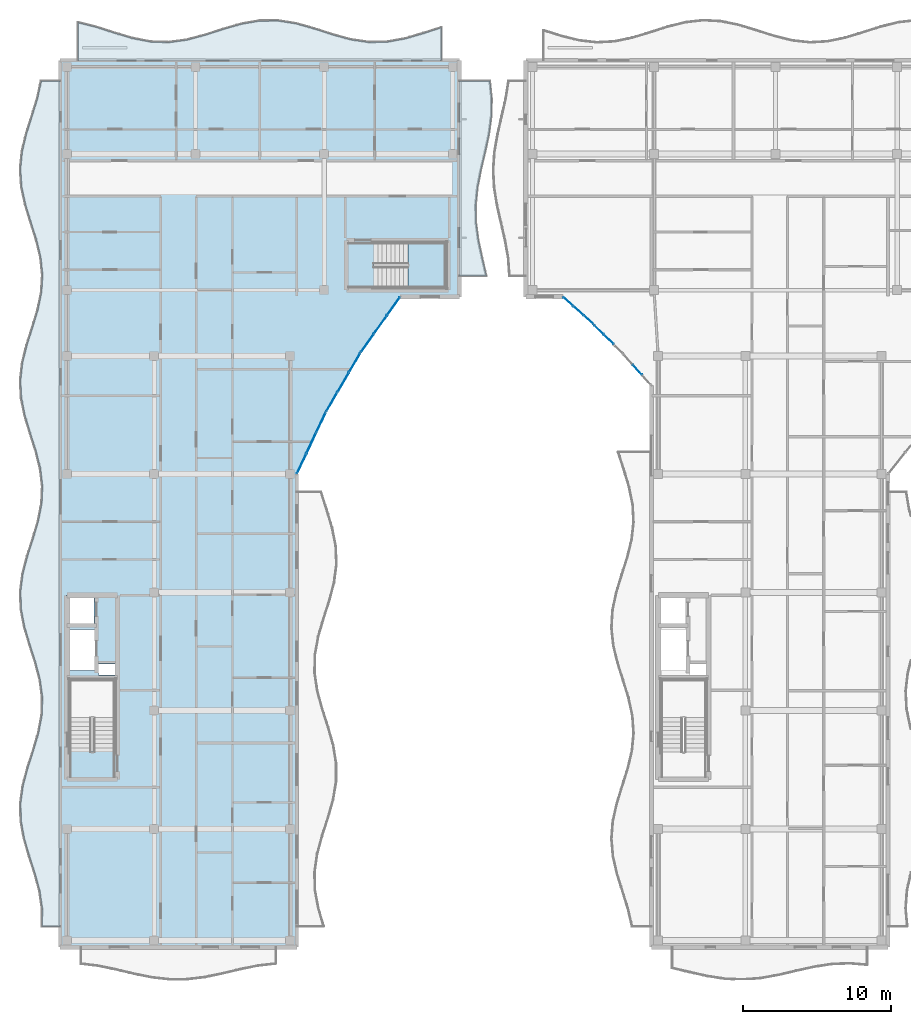
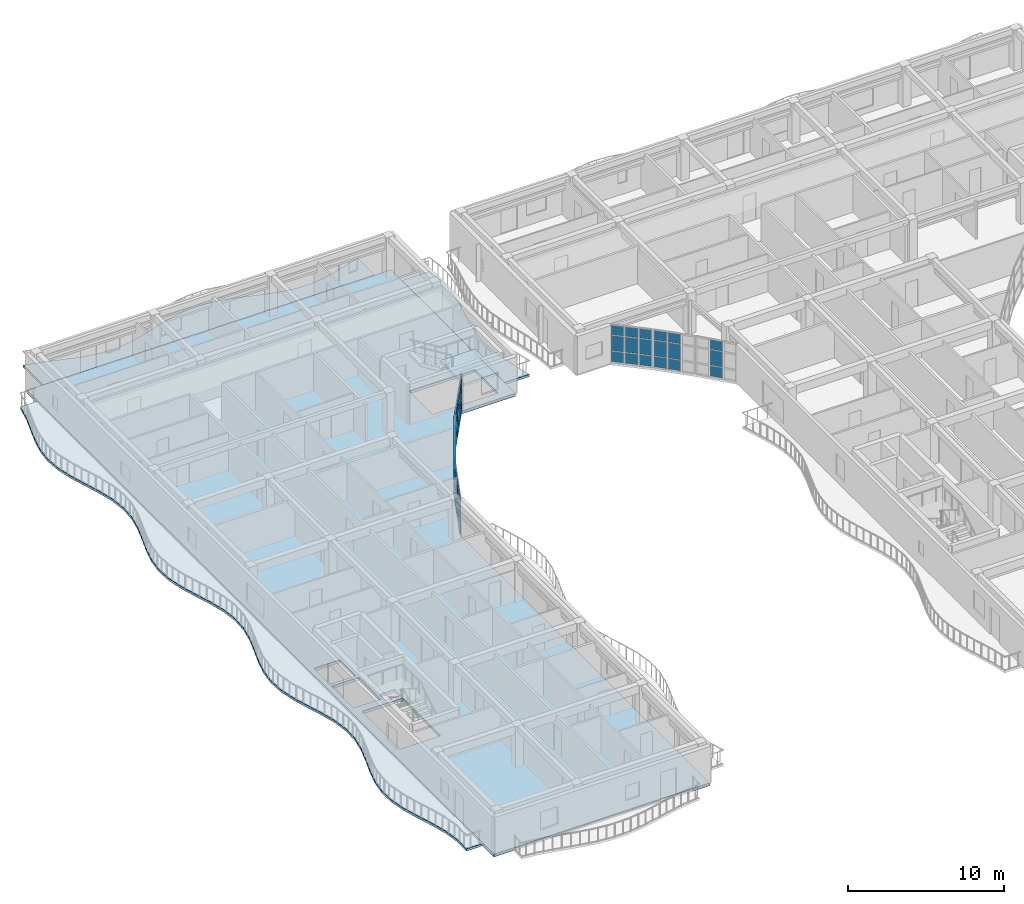
# One storey, part 24 of 76: 45 plates, 5 slabs, 7 elements without a shape of their own.
"""IFC4 building model written with IfcOpenShell, lengths in metres."""

from ifc_helpers import new_model, si_unit, direction, frame, origin, origin_2d, place, context, subcontext, project, spatial, polyline, rectangle, outline, extrude, material, layer, layer_set, type_object, element, aggregate, save


model = new_model("IFC4")

# Units and contexts
model_context = context("Model", 3, precision=1e-05, world=origin(), true_north=direction((0.0, 1.0)))
body_context = subcontext(model_context, "Body", "Model", "MODEL_VIEW")
ifc_project = project(units=[si_unit("LENGTHUNIT", "METRE"), si_unit("AREAUNIT", "SQUARE_METRE"), si_unit("VOLUMEUNIT", "CUBIC_METRE"), si_unit("PLANEANGLEUNIT", "RADIAN"), si_unit("MASSUNIT", "GRAM", prefix="KILO")], contexts=[model_context])

# Site, building, storey
site_placement = place(None, origin())
site = spatial("IfcSite", under=ifc_project, at=site_placement, CompositionType="ELEMENT")
building_placement = place(site_placement, origin())
building = spatial("IfcBuilding", under=site, at=building_placement, Name="Keldmere Railside Commons", CompositionType="ELEMENT")
storey_placement = place(building_placement, frame((0.0, 0.0, 13.760009765625)))
storey = spatial("IfcBuildingStorey", under=building, at=storey_placement, Name="L04", CompositionType="ELEMENT", Elevation=13.760009765625)

# Stair, slab
ifc_material_1 = material(Name="Concrete H-30 (C30/37)", Category="concrete")
stair_type = type_object("IfcStairType", Name="Residential Core Dogleg Stair 1450", PredefinedType="HALF_TURN_STAIR", material=ifc_material_1)
stair_placement = place(storey_placement, origin())
stair = element("IfcStair", 1, at=stair_placement, inside=storey, type_object=stair_type, Name="L04 Block D Secondary Escape Stair 2", PredefinedType="HALF_TURN_STAIR")
ifc_layer_1 = layer(ifc_material_1, 0.199951171875, Name="Enclosed Stair Landing Slab 200")
ifc_layer_set_1 = layer_set([ifc_layer_1], Name="Concrete H-30 (C30/37)")
slab_type_1 = type_object("IfcSlabType", Name="Enclosed Stair Landing Slab 200", PredefinedType="LANDING", material=ifc_layer_set_1)
slab_1_placement = place(storey_placement, frame((0.0, 0.0, 1.39990234375)))
slab_1 = element("IfcSlab", 2, at=slab_1_placement, type_object=slab_type_1, Name="ST-D2 landing 1", PredefinedType="LANDING", context=body_context, shape_type="SweptSolid", body=[
    extrude(outline(polyline([(31.52001953125, 100.60009765625), (34.10009765625, 100.60009765625), (34.10009765625, 103.64990234375), (31.52001953125, 103.64990234375), (31.52001953125, 100.60009765625)])), origin(), (0.0, 0.0, 1.0), 0.2001953125),
])
aggregate(stair, [slab_1])

# Curtain wall, plates
ifc_material_2 = material(Name="Thermally Broken Aluminium", Category="aluminium")
ifc_layer_2 = layer(ifc_material_2, 0.159912109375, Name="Court Chord Wintergarden CW 5400x2850")
ifc_layer_set_2 = layer_set([ifc_layer_2], Name="Thermally Broken Aluminium")
curtain_wall_type_1 = type_object("IfcCurtainWallType", Name="Court Chord Wintergarden CW 5400x2850", PredefinedType="NOTDEFINED", material=ifc_layer_set_2)
curtain_wall_1_placement = place(storey_placement, origin())
curtain_wall_1 = element("IfcCurtainWall", 3, at=curtain_wall_1_placement, inside=storey, type_object=curtain_wall_type_1, Name="CW-13 CW-L04-014", PredefinedType="NOTDEFINED")
ifc_material_3 = material(Name="Insulated Aluminium Spandrel Panel", Category="aluminium")
ifc_layer_3 = layer(ifc_material_3, 0.0439453125, Name="Insulated Ocher Spandrel Panel 44")
ifc_layer_set_3 = layer_set([ifc_layer_3], Name="Insulated Aluminium Spandrel Panel")
plate_type_1 = type_object("IfcPlateType", Name="Insulated Ocher Spandrel Panel 44", PredefinedType="CURTAIN_PANEL", material=ifc_layer_set_3)
plate_1_placement = place(storey_placement, frame((27.913818359375, 95.531494140625, 0.06494140625), z_axis=(0.0, 0.0, 1.0), x_axis=(-0.503911193272, -0.86375546846, 0.0)))
plate_1 = element("IfcPlate", 4, at=plate_1_placement, type_object=plate_type_1, Name="CW-13 panel 1.1", PredefinedType="CURTAIN_PANEL", context=body_context, shape_type="SweptSolid", body=[
    extrude(rectangle(XDim=1.450439453125, YDim=0.0439453125, at=origin_2d()), origin(), (0.0, 0.0, 1.0), 0.802490234375),
])
plate_2_placement = place(storey_placement, frame((27.913818359375, 95.531494140625, 0.932373046875), z_axis=(0.0, 0.0, 1.0), x_axis=(-0.503911193272, -0.86375546846, 0.0)))
plate_2 = element("IfcPlate", 5, at=plate_2_placement, type_object=plate_type_1, Name="CW-13 panel 1.2", PredefinedType="CURTAIN_PANEL", context=body_context, shape_type="SweptSolid", body=[
    extrude(rectangle(XDim=1.450439453125, YDim=0.0439453125, at=origin_2d()), origin(), (0.0, 0.0, 1.0), 1.18505859375),
])
plate_3_placement = place(storey_placement, frame((27.913818359375, 95.531494140625, 2.1826171875), z_axis=(0.0, 0.0, 1.0), x_axis=(-0.503911193272, -0.86375546846, 0.0)))
plate_3 = element("IfcPlate", 6, at=plate_3_placement, type_object=plate_type_1, Name="CW-13 panel 1.3", PredefinedType="CURTAIN_PANEL", context=body_context, shape_type="SweptSolid", body=[
    extrude(rectangle(XDim=1.450439453125, YDim=0.0439453125, at=origin_2d()), origin(), (0.0, 0.0, 1.0), 0.732421875),
])
plate_4_placement = place(storey_placement, frame((27.14208984375, 94.20849609375, 0.06494140625), z_axis=(0.0, 0.0, 1.0), x_axis=(-0.503911193272, -0.86375546846, 0.0)))
plate_4 = element("IfcPlate", 7, at=plate_4_placement, type_object=plate_type_1, Name="CW-13 panel 2.1", PredefinedType="CURTAIN_PANEL", context=body_context, shape_type="SweptSolid", body=[
    extrude(rectangle(XDim=1.48291015625, YDim=0.0439453125, at=origin_2d()), origin(), (0.0, 0.0, 1.0), 0.802490234375),
])
plate_5_placement = place(storey_placement, frame((27.14208984375, 94.20849609375, 0.932373046875), z_axis=(0.0, 0.0, 1.0), x_axis=(-0.503911193272, -0.86375546846, 0.0)))
plate_5 = element("IfcPlate", 8, at=plate_5_placement, type_object=plate_type_1, Name="CW-13 panel 2.2", PredefinedType="CURTAIN_PANEL", context=body_context, shape_type="SweptSolid", body=[
    extrude(rectangle(XDim=1.48291015625, YDim=0.0439453125, at=origin_2d()), origin(), (0.0, 0.0, 1.0), 1.18505859375),
])
plate_6_placement = place(storey_placement, frame((27.14208984375, 94.20849609375, 2.1826171875), z_axis=(0.0, 0.0, 1.0), x_axis=(-0.503911193272, -0.86375546846, 0.0)))
plate_6 = element("IfcPlate", 9, at=plate_6_placement, type_object=plate_type_1, Name="CW-13 panel 2.3", PredefinedType="CURTAIN_PANEL", context=body_context, shape_type="SweptSolid", body=[
    extrude(rectangle(XDim=1.48291015625, YDim=0.0439453125, at=origin_2d()), origin(), (0.0, 0.0, 1.0), 0.732421875),
])
plate_7_placement = place(storey_placement, frame((26.3701171875, 92.885498046875, 0.06494140625), z_axis=(0.0, 0.0, 1.0), x_axis=(-0.503911193272, -0.86375546846, 0.0)))
plate_7 = element("IfcPlate", 10, at=plate_7_placement, type_object=plate_type_1, Name="CW-13 panel 3.1", PredefinedType="CURTAIN_PANEL", context=body_context, shape_type="SweptSolid", body=[
    extrude(rectangle(XDim=1.450439453125, YDim=0.0439453125, at=origin_2d()), origin(), (0.0, 0.0, 1.0), 0.802490234375),
])
plate_8_placement = place(storey_placement, frame((26.3701171875, 92.885498046875, 0.932373046875), z_axis=(0.0, 0.0, 1.0), x_axis=(-0.503911193272, -0.86375546846, 0.0)))
plate_8 = element("IfcPlate", 11, at=plate_8_placement, type_object=plate_type_1, Name="CW-13 panel 3.2", PredefinedType="CURTAIN_PANEL", context=body_context, shape_type="SweptSolid", body=[
    extrude(rectangle(XDim=1.450439453125, YDim=0.0439453125, at=origin_2d()), origin(), (0.0, 0.0, 1.0), 1.18505859375),
])
plate_9_placement = place(storey_placement, frame((26.3701171875, 92.885498046875, 2.1826171875), z_axis=(0.0, 0.0, 1.0), x_axis=(-0.503911193272, -0.86375546846, 0.0)))
plate_9 = element("IfcPlate", 12, at=plate_9_placement, type_object=plate_type_1, Name="CW-13 panel 3.3", PredefinedType="CURTAIN_PANEL", context=body_context, shape_type="SweptSolid", body=[
    extrude(rectangle(XDim=1.450439453125, YDim=0.0439453125, at=origin_2d()), origin(), (0.0, 0.0, 1.0), 0.732421875),
])
aggregate(curtain_wall_1, [plate_1, plate_2, plate_3, plate_4, plate_5, plate_6, plate_7, plate_8, plate_9])

ifc_layer_4 = layer(ifc_material_2, 0.159912109375, Name="Court Chord Wintergarden CW 4800x2850")
ifc_layer_set_4 = layer_set([ifc_layer_4], Name="Thermally Broken Aluminium")
curtain_wall_type_2 = type_object("IfcCurtainWallType", Name="Court Chord Wintergarden CW 4800x2850", PredefinedType="NOTDEFINED", material=ifc_layer_set_4)
curtain_wall_2_placement = place(storey_placement, origin())
curtain_wall_2 = element("IfcCurtainWall", 13, at=curtain_wall_2_placement, inside=storey, type_object=curtain_wall_type_2, Name="CW-12 CW-L04-052", PredefinedType="NOTDEFINED")
plate_10_placement = place(storey_placement, frame((43.74462890625, 98.435791015625, 0.06494140625), z_axis=(0.0, 0.0, 1.0), x_axis=(-0.744557333277, 0.667558519879, 0.0)))
plate_10 = element("IfcPlate", 14, at=plate_10_placement, type_object=plate_type_1, Name="CW-12 panel 1.1", PredefinedType="CURTAIN_PANEL", context=body_context, shape_type="SweptSolid", body=[
    extrude(rectangle(XDim=0.84619140625, YDim=0.0439453125, at=origin_2d()), origin(), (0.0, 0.0, 1.0), 0.802490234375),
])
plate_11_placement = place(storey_placement, frame((43.74462890625, 98.435791015625, 0.932373046875), z_axis=(0.0, 0.0, 1.0), x_axis=(-0.744557333277, 0.667558519879, 0.0)))
plate_11 = element("IfcPlate", 15, at=plate_11_placement, type_object=plate_type_1, Name="CW-12 panel 1.2", PredefinedType="CURTAIN_PANEL", context=body_context, shape_type="SweptSolid", body=[
    extrude(rectangle(XDim=0.84619140625, YDim=0.0439453125, at=origin_2d()), origin(), (0.0, 0.0, 1.0), 1.18505859375),
])
plate_12_placement = place(storey_placement, frame((43.74462890625, 98.435791015625, 2.1826171875), z_axis=(0.0, 0.0, 1.0), x_axis=(-0.744557333277, 0.667558519879, 0.0)))
plate_12 = element("IfcPlate", 16, at=plate_12_placement, type_object=plate_type_1, Name="CW-12 panel 1.3", PredefinedType="CURTAIN_PANEL", context=body_context, shape_type="SweptSolid", body=[
    extrude(rectangle(XDim=0.84619140625, YDim=0.0439453125, at=origin_2d()), origin(), (0.0, 0.0, 1.0), 0.732421875),
])
plate_13_placement = place(storey_placement, frame((43.053955078125, 99.054931640625, 0.06494140625), z_axis=(0.0, 0.0, 1.0), x_axis=(-0.744557333277, 0.667558519879, 0.0)))
plate_13 = element("IfcPlate", 17, at=plate_13_placement, type_object=plate_type_1, Name="CW-12 panel 2.1", PredefinedType="CURTAIN_PANEL", context=body_context, shape_type="SweptSolid", body=[
    extrude(rectangle(XDim=0.878662109375, YDim=0.0439453125, at=origin_2d()), origin(), (0.0, 0.0, 1.0), 0.802490234375),
])
plate_14_placement = place(storey_placement, frame((43.053955078125, 99.054931640625, 0.932373046875), z_axis=(0.0, 0.0, 1.0), x_axis=(-0.744557333277, 0.667558519879, 0.0)))
plate_14 = element("IfcPlate", 18, at=plate_14_placement, type_object=plate_type_1, Name="CW-12 panel 2.2", PredefinedType="CURTAIN_PANEL", context=body_context, shape_type="SweptSolid", body=[
    extrude(rectangle(XDim=0.878662109375, YDim=0.0439453125, at=origin_2d()), origin(), (0.0, 0.0, 1.0), 1.18505859375),
])
plate_15_placement = place(storey_placement, frame((43.053955078125, 99.054931640625, 2.1826171875), z_axis=(0.0, 0.0, 1.0), x_axis=(-0.744557333277, 0.667558519879, 0.0)))
plate_15 = element("IfcPlate", 19, at=plate_15_placement, type_object=plate_type_1, Name="CW-12 panel 2.3", PredefinedType="CURTAIN_PANEL", context=body_context, shape_type="SweptSolid", body=[
    extrude(rectangle(XDim=0.878662109375, YDim=0.0439453125, at=origin_2d()), origin(), (0.0, 0.0, 1.0), 0.732421875),
])
plate_16_placement = place(storey_placement, frame((42.363525390625, 99.674072265625, 0.06494140625), z_axis=(0.0, 0.0, 1.0), x_axis=(-0.744557333277, 0.667558519879, 0.0)))
plate_16 = element("IfcPlate", 20, at=plate_16_placement, type_object=plate_type_1, Name="CW-12 panel 3.1", PredefinedType="CURTAIN_PANEL", context=body_context, shape_type="SweptSolid", body=[
    extrude(rectangle(XDim=0.84619140625, YDim=0.0439453125, at=origin_2d()), origin(), (0.0, 0.0, 1.0), 0.802490234375),
])
plate_17_placement = place(storey_placement, frame((42.363525390625, 99.674072265625, 0.932373046875), z_axis=(0.0, 0.0, 1.0), x_axis=(-0.744557333277, 0.667558519879, 0.0)))
plate_17 = element("IfcPlate", 21, at=plate_17_placement, type_object=plate_type_1, Name="CW-12 panel 3.2", PredefinedType="CURTAIN_PANEL", context=body_context, shape_type="SweptSolid", body=[
    extrude(rectangle(XDim=0.84619140625, YDim=0.0439453125, at=origin_2d()), origin(), (0.0, 0.0, 1.0), 1.18505859375),
])
plate_18_placement = place(storey_placement, frame((42.363525390625, 99.674072265625, 2.1826171875), z_axis=(0.0, 0.0, 1.0), x_axis=(-0.744557333277, 0.667558519879, 0.0)))
plate_18 = element("IfcPlate", 22, at=plate_18_placement, type_object=plate_type_1, Name="CW-12 panel 3.3", PredefinedType="CURTAIN_PANEL", context=body_context, shape_type="SweptSolid", body=[
    extrude(rectangle(XDim=0.84619140625, YDim=0.0439453125, at=origin_2d()), origin(), (0.0, 0.0, 1.0), 0.732421875),
])
aggregate(curtain_wall_2, [plate_10, plate_11, plate_12, plate_13, plate_14, plate_15, plate_16, plate_17, plate_18])

curtain_wall_3_placement = place(storey_placement, origin())
curtain_wall_3 = element("IfcCurtainWall", 23, at=curtain_wall_3_placement, inside=storey, type_object=curtain_wall_type_2, Name="CW-12 CW-L04-054", PredefinedType="NOTDEFINED")
plate_19_placement = place(storey_placement, frame((47.054931640625, 95.053955078125, 0.06494140625), z_axis=(0.0, 0.0, 1.0), x_axis=(-0.667558519879, 0.744557333277, 0.0)))
plate_19 = element("IfcPlate", 24, at=plate_19_placement, type_object=plate_type_1, Name="CW-12 panel 2.1", PredefinedType="CURTAIN_PANEL", context=body_context, shape_type="SweptSolid", body=[
    extrude(rectangle(XDim=0.878662109375, YDim=0.0439453125, at=origin_2d()), origin(), (0.0, 0.0, 1.0), 0.802490234375),
])
plate_20_placement = place(storey_placement, frame((47.054931640625, 95.053955078125, 0.932373046875), z_axis=(0.0, 0.0, 1.0), x_axis=(-0.667558519879, 0.744557333277, 0.0)))
plate_20 = element("IfcPlate", 25, at=plate_20_placement, type_object=plate_type_1, Name="CW-12 panel 2.2", PredefinedType="CURTAIN_PANEL", context=body_context, shape_type="SweptSolid", body=[
    extrude(rectangle(XDim=0.878662109375, YDim=0.0439453125, at=origin_2d()), origin(), (0.0, 0.0, 1.0), 1.18505859375),
])
plate_21_placement = place(storey_placement, frame((47.054931640625, 95.053955078125, 2.1826171875), z_axis=(0.0, 0.0, 1.0), x_axis=(-0.667558519879, 0.744557333277, 0.0)))
plate_21 = element("IfcPlate", 26, at=plate_21_placement, type_object=plate_type_1, Name="CW-12 panel 2.3", PredefinedType="CURTAIN_PANEL", context=body_context, shape_type="SweptSolid", body=[
    extrude(rectangle(XDim=0.878662109375, YDim=0.0439453125, at=origin_2d()), origin(), (0.0, 0.0, 1.0), 0.732421875),
])
aggregate(curtain_wall_3, [plate_19, plate_20, plate_21])

curtain_wall_4_placement = place(storey_placement, origin())
curtain_wall_4 = element("IfcCurtainWall", 27, at=curtain_wall_4_placement, inside=storey, type_object=curtain_wall_type_2, Name="CW-12 CW-L04-013", PredefinedType="NOTDEFINED")
ifc_layer_5 = layer(ifc_material_3, 0.050048828125, Name="Insulated Terracotta Spandrel Panel 50")
ifc_layer_set_5 = layer_set([ifc_layer_5], Name="Insulated Aluminium Spandrel Panel")
plate_type_2 = type_object("IfcPlateType", Name="Insulated Terracotta Spandrel Panel 50", PredefinedType="CURTAIN_PANEL", material=ifc_layer_set_5)
plate_22_placement = place(storey_placement, frame((25.636474609375, 91.48779296875, 0.06494140625), z_axis=(0.0, 0.0, 1.0), x_axis=(-0.424759442264, -0.905306255478, 0.0)))
plate_22 = element("IfcPlate", 28, at=plate_22_placement, type_object=plate_type_2, Name="CW-12 panel 1.1", PredefinedType="CURTAIN_PANEL", context=body_context, shape_type="SweptSolid", body=[
    extrude(rectangle(XDim=1.449951171875, YDim=0.050048828125, at=origin_2d()), origin(), (0.0, 0.0, 1.0), 0.802490234375),
])
plate_23_placement = place(storey_placement, frame((25.636474609375, 91.48779296875, 0.932373046875), z_axis=(0.0, 0.0, 1.0), x_axis=(-0.424759442264, -0.905306255478, 0.0)))
plate_23 = element("IfcPlate", 29, at=plate_23_placement, type_object=plate_type_2, Name="CW-12 panel 1.2", PredefinedType="CURTAIN_PANEL", context=body_context, shape_type="SweptSolid", body=[
    extrude(rectangle(XDim=1.449951171875, YDim=0.050048828125, at=origin_2d()), origin(), (0.0, 0.0, 1.0), 1.18505859375),
])
plate_24_placement = place(storey_placement, frame((25.636474609375, 91.48779296875, 2.1826171875), z_axis=(0.0, 0.0, 1.0), x_axis=(-0.424759442264, -0.905306255478, 0.0)))
plate_24 = element("IfcPlate", 30, at=plate_24_placement, type_object=plate_type_2, Name="CW-12 panel 1.3", PredefinedType="CURTAIN_PANEL", context=body_context, shape_type="SweptSolid", body=[
    extrude(rectangle(XDim=1.449951171875, YDim=0.050048828125, at=origin_2d()), origin(), (0.0, 0.0, 1.0), 0.732421875),
])
plate_25_placement = place(storey_placement, frame((24.986083984375, 90.1015625, 0.06494140625), z_axis=(0.0, 0.0, 1.0), x_axis=(-0.424759442264, -0.905306255478, 0.0)))
plate_25 = element("IfcPlate", 31, at=plate_25_placement, type_object=plate_type_2, Name="CW-12 panel 2.1", PredefinedType="CURTAIN_PANEL", context=body_context, shape_type="SweptSolid", body=[
    extrude(rectangle(XDim=1.482421875, YDim=0.050048828125, at=origin_2d()), origin(), (0.0, 0.0, 1.0), 0.802490234375),
])
plate_26_placement = place(storey_placement, frame((24.986083984375, 90.1015625, 0.932373046875), z_axis=(0.0, 0.0, 1.0), x_axis=(-0.424759442264, -0.905306255478, 0.0)))
plate_26 = element("IfcPlate", 32, at=plate_26_placement, type_object=plate_type_2, Name="CW-12 panel 2.2", PredefinedType="CURTAIN_PANEL", context=body_context, shape_type="SweptSolid", body=[
    extrude(rectangle(XDim=1.482421875, YDim=0.050048828125, at=origin_2d()), origin(), (0.0, 0.0, 1.0), 1.18505859375),
])
plate_27_placement = place(storey_placement, frame((24.986083984375, 90.1015625, 2.1826171875), z_axis=(0.0, 0.0, 1.0), x_axis=(-0.424759442264, -0.905306255478, 0.0)))
plate_27 = element("IfcPlate", 33, at=plate_27_placement, type_object=plate_type_2, Name="CW-12 panel 2.3", PredefinedType="CURTAIN_PANEL", context=body_context, shape_type="SweptSolid", body=[
    extrude(rectangle(XDim=1.482421875, YDim=0.050048828125, at=origin_2d()), origin(), (0.0, 0.0, 1.0), 0.732421875),
])
plate_28_placement = place(storey_placement, frame((24.33544921875, 88.71533203125, 0.06494140625), z_axis=(0.0, 0.0, 1.0), x_axis=(-0.424759442264, -0.905306255478, 0.0)))
plate_28 = element("IfcPlate", 34, at=plate_28_placement, type_object=plate_type_2, Name="CW-12 panel 3.1", PredefinedType="CURTAIN_PANEL", context=body_context, shape_type="SweptSolid", body=[
    extrude(rectangle(XDim=1.449951171875, YDim=0.050048828125, at=origin_2d()), origin(), (0.0, 0.0, 1.0), 0.802490234375),
])
plate_29_placement = place(storey_placement, frame((24.33544921875, 88.71533203125, 0.932373046875), z_axis=(0.0, 0.0, 1.0), x_axis=(-0.424759442264, -0.905306255478, 0.0)))
plate_29 = element("IfcPlate", 35, at=plate_29_placement, type_object=plate_type_2, Name="CW-12 panel 3.2", PredefinedType="CURTAIN_PANEL", context=body_context, shape_type="SweptSolid", body=[
    extrude(rectangle(XDim=1.449951171875, YDim=0.050048828125, at=origin_2d()), origin(), (0.0, 0.0, 1.0), 1.18505859375),
])
plate_30_placement = place(storey_placement, frame((24.33544921875, 88.71533203125, 2.1826171875), z_axis=(0.0, 0.0, 1.0), x_axis=(-0.424759442264, -0.905306255478, 0.0)))
plate_30 = element("IfcPlate", 36, at=plate_30_placement, type_object=plate_type_2, Name="CW-12 panel 3.3", PredefinedType="CURTAIN_PANEL", context=body_context, shape_type="SweptSolid", body=[
    extrude(rectangle(XDim=1.449951171875, YDim=0.050048828125, at=origin_2d()), origin(), (0.0, 0.0, 1.0), 0.732421875),
])
aggregate(curtain_wall_4, [plate_22, plate_23, plate_24, plate_25, plate_26, plate_27, plate_28, plate_29, plate_30])

curtain_wall_5_placement = place(storey_placement, origin())
curtain_wall_5 = element("IfcCurtainWall", 37, at=curtain_wall_5_placement, inside=storey, type_object=curtain_wall_type_2, Name="CW-12 CW-L04-015", PredefinedType="NOTDEFINED")
plate_31_placement = place(storey_placement, frame((30.54248046875, 99.355712890625, 0.06494140625), z_axis=(0.0, 0.0, 1.0), x_axis=(-0.578913327753, -0.815389084395, 0.0)))
plate_31 = element("IfcPlate", 38, at=plate_31_placement, type_object=plate_type_2, Name="CW-12 panel 1.1", PredefinedType="CURTAIN_PANEL", context=body_context, shape_type="SweptSolid", body=[
    extrude(rectangle(XDim=1.4501953125, YDim=0.050048828125, at=origin_2d()), origin(), (0.0, 0.0, 1.0), 0.802490234375),
])
plate_32_placement = place(storey_placement, frame((30.54248046875, 99.355712890625, 0.932373046875), z_axis=(0.0, 0.0, 1.0), x_axis=(-0.578913327753, -0.815389084395, 0.0)))
plate_32 = element("IfcPlate", 39, at=plate_32_placement, type_object=plate_type_2, Name="CW-12 panel 1.2", PredefinedType="CURTAIN_PANEL", context=body_context, shape_type="SweptSolid", body=[
    extrude(rectangle(XDim=1.4501953125, YDim=0.050048828125, at=origin_2d()), origin(), (0.0, 0.0, 1.0), 1.18505859375),
])
plate_33_placement = place(storey_placement, frame((30.54248046875, 99.355712890625, 2.1826171875), z_axis=(0.0, 0.0, 1.0), x_axis=(-0.578913327753, -0.815389084395, 0.0)))
plate_33 = element("IfcPlate", 40, at=plate_33_placement, type_object=plate_type_2, Name="CW-12 panel 1.3", PredefinedType="CURTAIN_PANEL", context=body_context, shape_type="SweptSolid", body=[
    extrude(rectangle(XDim=1.4501953125, YDim=0.050048828125, at=origin_2d()), origin(), (0.0, 0.0, 1.0), 0.732421875),
])
plate_34_placement = place(storey_placement, frame((29.656005859375, 98.10693359375, 0.06494140625), z_axis=(0.0, 0.0, 1.0), x_axis=(-0.578913327753, -0.815389084395, 0.0)))
plate_34 = element("IfcPlate", 41, at=plate_34_placement, type_object=plate_type_2, Name="CW-12 panel 2.1", PredefinedType="CURTAIN_PANEL", context=body_context, shape_type="SweptSolid", body=[
    extrude(rectangle(XDim=1.482666015625, YDim=0.050048828125, at=origin_2d()), origin(), (0.0, 0.0, 1.0), 0.802490234375),
])
plate_35_placement = place(storey_placement, frame((29.656005859375, 98.10693359375, 0.932373046875), z_axis=(0.0, 0.0, 1.0), x_axis=(-0.578913327753, -0.815389084395, 0.0)))
plate_35 = element("IfcPlate", 42, at=plate_35_placement, type_object=plate_type_2, Name="CW-12 panel 2.2", PredefinedType="CURTAIN_PANEL", context=body_context, shape_type="SweptSolid", body=[
    extrude(rectangle(XDim=1.482666015625, YDim=0.050048828125, at=origin_2d()), origin(), (0.0, 0.0, 1.0), 1.18505859375),
])
plate_36_placement = place(storey_placement, frame((29.656005859375, 98.10693359375, 2.1826171875), z_axis=(0.0, 0.0, 1.0), x_axis=(-0.578913327753, -0.815389084395, 0.0)))
plate_36 = element("IfcPlate", 43, at=plate_36_placement, type_object=plate_type_2, Name="CW-12 panel 2.3", PredefinedType="CURTAIN_PANEL", context=body_context, shape_type="SweptSolid", body=[
    extrude(rectangle(XDim=1.482666015625, YDim=0.050048828125, at=origin_2d()), origin(), (0.0, 0.0, 1.0), 0.732421875),
])
plate_37_placement = place(storey_placement, frame((28.769287109375, 96.858154296875, 0.06494140625), z_axis=(0.0, 0.0, 1.0), x_axis=(-0.578913327753, -0.815389084395, 0.0)))
plate_37 = element("IfcPlate", 44, at=plate_37_placement, type_object=plate_type_2, Name="CW-12 panel 3.1", PredefinedType="CURTAIN_PANEL", context=body_context, shape_type="SweptSolid", body=[
    extrude(rectangle(XDim=1.4501953125, YDim=0.050048828125, at=origin_2d()), origin(), (0.0, 0.0, 1.0), 0.802490234375),
])
plate_38_placement = place(storey_placement, frame((28.769287109375, 96.858154296875, 0.932373046875), z_axis=(0.0, 0.0, 1.0), x_axis=(-0.578913327753, -0.815389084395, 0.0)))
plate_38 = element("IfcPlate", 45, at=plate_38_placement, type_object=plate_type_2, Name="CW-12 panel 3.2", PredefinedType="CURTAIN_PANEL", context=body_context, shape_type="SweptSolid", body=[
    extrude(rectangle(XDim=1.4501953125, YDim=0.050048828125, at=origin_2d()), origin(), (0.0, 0.0, 1.0), 1.18505859375),
])
plate_39_placement = place(storey_placement, frame((28.769287109375, 96.858154296875, 2.1826171875), z_axis=(0.0, 0.0, 1.0), x_axis=(-0.578913327753, -0.815389084395, 0.0)))
plate_39 = element("IfcPlate", 46, at=plate_39_placement, type_object=plate_type_2, Name="CW-12 panel 3.3", PredefinedType="CURTAIN_PANEL", context=body_context, shape_type="SweptSolid", body=[
    extrude(rectangle(XDim=1.4501953125, YDim=0.050048828125, at=origin_2d()), origin(), (0.0, 0.0, 1.0), 0.732421875),
])
aggregate(curtain_wall_5, [plate_31, plate_32, plate_33, plate_34, plate_35, plate_36, plate_37, plate_38, plate_39])

curtain_wall_6_placement = place(storey_placement, origin())
curtain_wall_6 = element("IfcCurtainWall", 47, at=curtain_wall_6_placement, inside=storey, type_object=curtain_wall_type_1, Name="CW-13 CW-L04-053", PredefinedType="NOTDEFINED")
plate_40_placement = place(storey_placement, frame((45.10888671875, 97.10888671875, 0.06494140625), z_axis=(0.0, 0.0, 1.0), x_axis=(-0.707106781187, 0.707106781187, 0.0)))
plate_40 = element("IfcPlate", 48, at=plate_40_placement, type_object=plate_type_2, Name="CW-13 panel 2.1", PredefinedType="CURTAIN_PANEL", context=body_context, shape_type="SweptSolid", body=[
    extrude(rectangle(XDim=0.878662109375, YDim=0.050048828125, at=origin_2d()), origin(), (0.0, 0.0, 1.0), 0.802490234375),
])
plate_41_placement = place(storey_placement, frame((45.10888671875, 97.10888671875, 0.932373046875), z_axis=(0.0, 0.0, 1.0), x_axis=(-0.707106781187, 0.707106781187, 0.0)))
plate_41 = element("IfcPlate", 49, at=plate_41_placement, type_object=plate_type_2, Name="CW-13 panel 2.2", PredefinedType="CURTAIN_PANEL", context=body_context, shape_type="SweptSolid", body=[
    extrude(rectangle(XDim=0.878662109375, YDim=0.050048828125, at=origin_2d()), origin(), (0.0, 0.0, 1.0), 1.18505859375),
])
plate_42_placement = place(storey_placement, frame((45.10888671875, 97.10888671875, 2.1826171875), z_axis=(0.0, 0.0, 1.0), x_axis=(-0.707106781187, 0.707106781187, 0.0)))
plate_42 = element("IfcPlate", 50, at=plate_42_placement, type_object=plate_type_2, Name="CW-13 panel 2.3", PredefinedType="CURTAIN_PANEL", context=body_context, shape_type="SweptSolid", body=[
    extrude(rectangle(XDim=0.878662109375, YDim=0.050048828125, at=origin_2d()), origin(), (0.0, 0.0, 1.0), 0.732421875),
])
plate_43_placement = place(storey_placement, frame((44.453125, 97.764892578125, 0.06494140625), z_axis=(0.0, 0.0, 1.0), x_axis=(-0.707106781187, 0.707106781187, 0.0)))
plate_43 = element("IfcPlate", 51, at=plate_43_placement, type_object=plate_type_2, Name="CW-13 panel 3.1", PredefinedType="CURTAIN_PANEL", context=body_context, shape_type="SweptSolid", body=[
    extrude(rectangle(XDim=0.84619140625, YDim=0.050048828125, at=origin_2d()), origin(), (0.0, 0.0, 1.0), 0.802490234375),
])
plate_44_placement = place(storey_placement, frame((44.453125, 97.764892578125, 0.932373046875), z_axis=(0.0, 0.0, 1.0), x_axis=(-0.707106781187, 0.707106781187, 0.0)))
plate_44 = element("IfcPlate", 52, at=plate_44_placement, type_object=plate_type_2, Name="CW-13 panel 3.2", PredefinedType="CURTAIN_PANEL", context=body_context, shape_type="SweptSolid", body=[
    extrude(rectangle(XDim=0.84619140625, YDim=0.050048828125, at=origin_2d()), origin(), (0.0, 0.0, 1.0), 1.18505859375),
])
plate_45_placement = place(storey_placement, frame((44.453125, 97.764892578125, 2.1826171875), z_axis=(0.0, 0.0, 1.0), x_axis=(-0.707106781187, 0.707106781187, 0.0)))
plate_45 = element("IfcPlate", 53, at=plate_45_placement, type_object=plate_type_2, Name="CW-13 panel 3.3", PredefinedType="CURTAIN_PANEL", context=body_context, shape_type="SweptSolid", body=[
    extrude(rectangle(XDim=0.84619140625, YDim=0.050048828125, at=origin_2d()), origin(), (0.0, 0.0, 1.0), 0.732421875),
])
aggregate(curtain_wall_6, [plate_40, plate_41, plate_42, plate_43, plate_44, plate_45])

# Slabs
ifc_layer_6 = layer(ifc_material_1, 0.219970703125, Name="Residential Flat Slab 220")
ifc_layer_set_6 = layer_set([ifc_layer_6], Name="Concrete H-30 (C30/37)")
slab_type_2 = type_object("IfcSlabType", Name="Residential Flat Slab 220", PredefinedType="FLOOR", material=ifc_layer_set_6)
slab_2_placement = place(storey_placement, frame((0.0, 0.0, -0.219970703125)))
element("IfcSlab", 54, at=slab_2_placement, inside=storey, type_object=slab_type_2, Name="FS-2 BLKD-L04-011", PredefinedType="FLOOR", context=body_context, shape_type="SweptSolid", body=[
    extrude(outline(polyline([(8.0, 56.0), (24.0, 56.0), (24.0, 88.0), (25.971923828125, 92.202880859375), (28.31201171875, 96.214111328125), (31.0, 100.0), (35.0, 100.0), (35.0, 116.0), (8.0, 116.0), (8.0, 56.0)]), holes=[polyline([(11.675048828125, 69.22509765625), (8.675048828125, 69.22509765625), (8.675048828125, 74.074951171875), (11.675048828125, 74.074951171875), (11.675048828125, 69.22509765625)]), polyline([(11.699951171875, 74.419921875), (10.60009765625, 74.419921875), (10.60009765625, 75.159912109375), (11.699951171875, 75.159912109375), (11.699951171875, 74.419921875)]), polyline([(8.39990234375, 74.699951171875), (8.39990234375, 77.5), (10.39990234375, 77.5), (10.39990234375, 74.699951171875), (8.39990234375, 74.699951171875)]), polyline([(10.300048828125, 77.75), (8.39990234375, 77.75), (8.39990234375, 79.800048828125), (10.300048828125, 79.800048828125), (10.300048828125, 77.75)]), polyline([(29.22509765625, 103.625), (34.074951171875, 103.625), (34.074951171875, 100.625), (29.22509765625, 100.625), (29.22509765625, 103.625)])]), origin(), (0.0, 0.0, 1.0), 0.219970703125),
])
ifc_material_4 = material(Name="White Precast Concrete H-35 (C35/45)", Category="concrete")
ifc_layer_7 = layer(ifc_material_4, 0.179931640625, Name="Sinusoidal Wave Balcony Slab 180")
ifc_layer_set_7 = layer_set([ifc_layer_7], Name="White Precast Concrete H-35 (C35/45)")
slab_type_3 = type_object("IfcSlabType", Name="Sinusoidal Wave Balcony Slab 180", PredefinedType="FLOOR", material=ifc_layer_set_7)
slab_3_placement = place(storey_placement, frame((0.0, 0.0, -0.179931640625)))
element("IfcSlab", 55, at=slab_3_placement, inside=storey, type_object=slab_type_3, Name="WB-1 D L04 N Wave Balcony", PredefinedType="FLOOR", context=body_context, shape_type="SweptSolid", body=[
    extrude(outline(polyline([(9.199951171875, 116.0), (10.429931640625, 116.0), (11.659912109375, 116.0), (12.889892578125, 116.0), (14.1201171875, 116.0), (15.35009765625, 116.0), (16.580078125, 116.0), (17.81005859375, 116.0), (19.0400390625, 116.0), (20.27001953125, 116.0), (21.5, 116.0), (22.72998046875, 116.0), (23.9599609375, 116.0), (25.18994140625, 116.0), (26.419921875, 116.0), (27.64990234375, 116.0), (28.8798828125, 116.0), (30.110107421875, 116.0), (31.340087890625, 116.0), (32.570068359375, 116.0), (33.800048828125, 116.0), (33.800048828125, 118.219482421875), (32.570068359375, 117.823486328125), (31.340087890625, 117.46337890625), (30.110107421875, 117.239990234375), (28.8798828125, 117.21630859375), (27.64990234375, 117.398681640625), (26.419921875, 117.736328125), (25.18994140625, 118.134033203125), (23.9599609375, 118.47998046875), (22.72998046875, 118.6767578125), (21.5, 118.669189453125), (20.27001953125, 118.459716796875), (19.0400390625, 118.106689453125), (17.81005859375, 117.70947265625), (16.580078125, 117.380126953125), (15.35009765625, 117.2109375), (14.1201171875, 117.24951171875), (12.889892578125, 117.485107421875), (11.659912109375, 117.851318359375), (10.429931640625, 118.245361328125), (9.199951171875, 118.556396484375), (9.199951171875, 116.0)])), origin(), (0.0, 0.0, 1.0), 0.179931640625),
])
slab_4_placement = place(storey_placement, frame((0.0, 0.0, -0.179931640625)))
element("IfcSlab", 56, at=slab_4_placement, inside=storey, type_object=slab_type_3, Name="WB-1 D L04 CW Wave Balcony", PredefinedType="FLOOR", context=body_context, shape_type="SweptSolid", body=[
    extrude(outline(polyline([(8.0, 57.39990234375), (8.0, 58.591796875), (8.0, 59.783203125), (8.0, 60.97509765625), (8.0, 62.166748046875), (8.0, 63.3583984375), (8.0, 64.550048828125), (8.0, 65.74169921875), (8.0, 66.933349609375), (8.0, 68.125), (8.0, 69.316650390625), (8.0, 70.50830078125), (8.0, 71.699951171875), (8.0, 72.8916015625), (8.0, 74.083251953125), (8.0, 75.27490234375), (8.0, 76.466796875), (8.0, 77.658203125), (8.0, 78.85009765625), (8.0, 80.041748046875), (8.0, 81.2333984375), (8.0, 82.425048828125), (8.0, 83.61669921875), (8.0, 84.808349609375), (8.0, 86.0), (8.0, 87.191650390625), (8.0, 88.38330078125), (8.0, 89.574951171875), (8.0, 90.7666015625), (8.0, 91.958251953125), (8.0, 93.14990234375), (8.0, 94.341796875), (8.0, 95.533203125), (8.0, 96.72509765625), (8.0, 97.916748046875), (8.0, 99.1083984375), (8.0, 100.300048828125), (8.0, 101.49169921875), (8.0, 102.683349609375), (8.0, 103.875), (8.0, 105.066650390625), (8.0, 106.25830078125), (8.0, 107.449951171875), (8.0, 108.6416015625), (8.0, 109.833251953125), (8.0, 111.02490234375), (8.0, 112.216796875), (8.0, 113.408203125), (8.0, 114.60009765625), (6.712890625, 114.60009765625), (6.450927734375, 113.408203125), (6.0830078125, 112.216796875), (5.706298828125, 111.02490234375), (5.42041015625, 109.833251953125), (5.301025390625, 108.6416015625), (5.379638671875, 107.449951171875), (5.635498046875, 106.25830078125), (6.000732421875, 105.066650390625), (6.379150390625, 103.875), (6.67041015625, 102.683349609375), (6.7978515625, 101.49169921875), (6.7275390625, 100.300048828125), (6.47802734375, 99.1083984375), (6.115478515625, 97.916748046875), (5.735595703125, 96.72509765625), (5.43896484375, 95.533203125), (5.3037109375, 94.341796875), (5.365478515625, 93.14990234375), (5.6083984375, 91.958251953125), (5.968017578125, 90.7666015625), (6.349365234375, 89.574951171875), (6.651611328125, 88.38330078125), (6.794677734375, 87.191650390625), (6.740966796875, 86.0), (6.504638671875, 84.808349609375), (6.148193359375, 83.61669921875), (5.765625, 82.425048828125), (5.45849609375, 81.2333984375), (5.3076171875, 80.041748046875), (5.352783203125, 78.85009765625), (5.58251953125, 77.658203125), (5.935791015625, 76.466796875), (6.319091796875, 75.27490234375), (6.63134765625, 74.083251953125), (6.789794921875, 72.8916015625), (6.7529296875, 71.699951171875), (6.5302734375, 70.50830078125), (6.180419921875, 69.316650390625), (5.79638671875, 68.125), (5.47900390625, 66.933349609375), (5.31298828125, 65.74169921875), (5.341552734375, 64.550048828125), (5.557373046875, 63.3583984375), (5.9033203125, 62.166748046875), (6.288330078125, 60.97509765625), (6.610107421875, 59.783203125), (6.783935546875, 58.591796875), (6.763671875, 57.39990234375), (8.0, 57.39990234375)])), origin(), (0.0, 0.0, 1.0), 0.179931640625),
])
slab_5_placement = place(storey_placement, frame((0.0, 0.0, -0.179931640625)))
element("IfcSlab", 57, at=slab_5_placement, inside=storey, type_object=slab_type_3, Name="WB-1 D L04 WE Wave Balcony", PredefinedType="FLOOR", context=body_context, shape_type="SweptSolid", body=[
    extrude(outline(polyline([(36.834228515625, 101.39990234375), (36.55029296875, 102.60009765625), (36.293212890625, 103.800048828125), (36.1318359375, 105.0), (36.109130859375, 106.199951171875), (36.231201171875, 107.39990234375), (36.4658203125, 108.60009765625), (36.74951171875, 109.800048828125), (37.006591796875, 111.0), (37.168212890625, 112.199951171875), (37.19091796875, 113.39990234375), (37.068603515625, 114.60009765625), (35.0, 114.60009765625), (35.0, 113.39990234375), (35.0, 112.199951171875), (35.0, 111.0), (35.0, 109.800048828125), (35.0, 108.60009765625), (35.0, 107.39990234375), (35.0, 106.199951171875), (35.0, 105.0), (35.0, 103.800048828125), (35.0, 102.60009765625), (35.0, 101.39990234375), (36.834228515625, 101.39990234375)])), origin(), (0.0, 0.0, 1.0), 0.179931640625),
])

save(model, "model.ifc")
